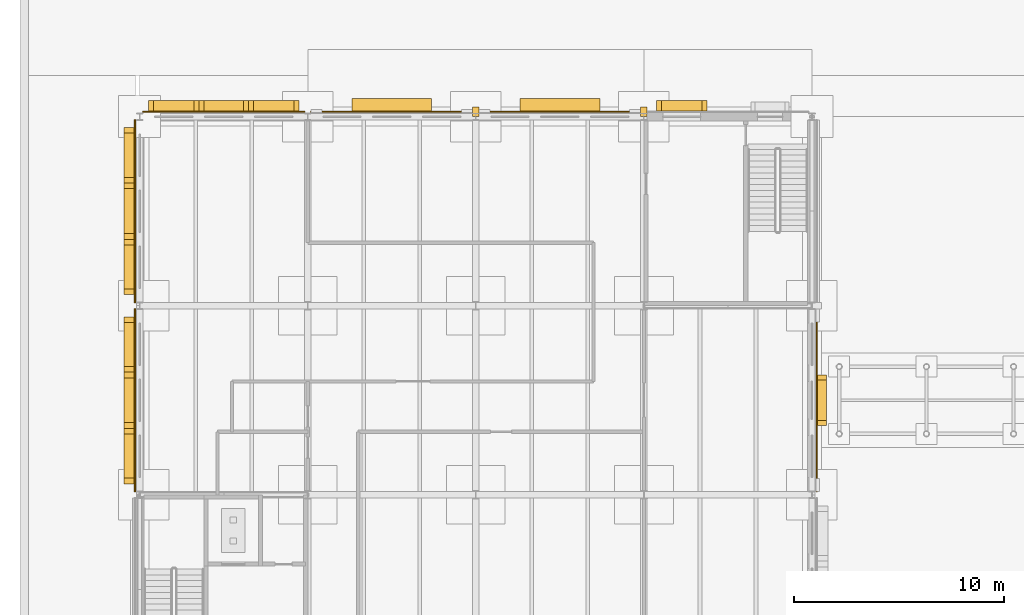
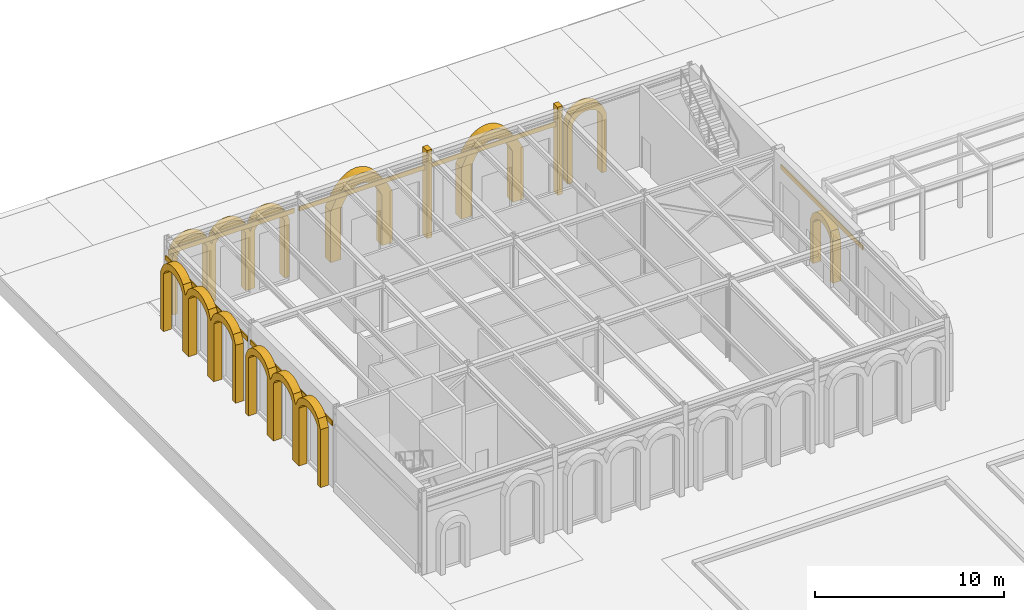
# One storey, part 108 of 126: 15 coverings.
"""IFC4 building model written with IfcOpenShell, lengths in metres."""

from ifc_helpers import new_model, si_unit, direction, frame, origin, origin_2d, place, context, subcontext, project, spatial, polyline, rectangle, outline, extrude, material, layer, layer_set, type_object, element, save


model = new_model("IFC4")

# Units and contexts
model_context = context("Model", 3, precision=1e-05, world=origin(), true_north=direction((0.0, 1.0)))
body_context = subcontext(model_context, "Body", "Model", "MODEL_VIEW")
ifc_project = project(units=[si_unit("LENGTHUNIT", "METRE"), si_unit("AREAUNIT", "SQUARE_METRE"), si_unit("VOLUMEUNIT", "CUBIC_METRE"), si_unit("PLANEANGLEUNIT", "RADIAN"), si_unit("MASSUNIT", "GRAM", prefix="KILO")], contexts=[model_context])

# Site, building, storey
site_placement = place(None, origin())
site = spatial("IfcSite", under=ifc_project, at=site_placement, CompositionType="ELEMENT")
building_placement = place(site_placement, origin())
building = spatial("IfcBuilding", under=site, at=building_placement, Name="Kallimachos Central Library", CompositionType="ELEMENT")
storey_placement = place(building_placement, origin())
storey = spatial("IfcBuildingStorey", under=building, at=storey_placement, Name="L00", CompositionType="ELEMENT", Elevation=0.0)

# Coverings
ifc_material_1 = material(Name="Pentelic marble arcade ring", Category="masonry")
ifc_layer_1 = layer(ifc_material_1, 0.5)
ifc_layer_set_1 = layer_set([ifc_layer_1], Name="Stone arcade ring 500")
covering_type_1 = type_object("IfcCoveringType", Name="Stone arcade ring 500", PredefinedType="MOLDING", material=ifc_layer_set_1)
covering_1_placement = place(storey_placement, frame((6.425048828125, 114.760009765625, 0.0), z_axis=(0.0, 1.0, 0.0), x_axis=(0.0, 0.0, 1.0)))
element("IfcCovering", 1, at=covering_1_placement, inside=storey, type_object=covering_type_1, Name="Arcade ring -L00-009-5", PredefinedType="MOLDING", context=body_context, shape_type="SweptSolid", body=[
    extrude(outline(polyline([(0.0, 0.0), (3.75, 0.0), (4.328857421875, 0.23876953125), (4.563720703125, 0.4775390625), (4.701171875, 0.716064453125), (4.776123046875, 0.954833984375), (4.800048828125, 1.19384765625), (4.776123046875, 1.432373046875), (4.701171875, 1.671142578125), (4.563720703125, 1.909912109375), (4.328857421875, 2.148681640625), (3.75, 2.387451171875), (4.330810546875, 2.625), (4.564697265625, 2.862548828125), (4.70166015625, 3.099853515625), (4.776123046875, 3.33740234375), (4.800048828125, 3.574951171875), (4.776123046875, 3.8125), (4.70166015625, 4.050048828125), (4.564697265625, 4.287353515625), (4.330810546875, 4.52490234375), (3.75, 4.762451171875), (4.328857421875, 5.001220703125), (4.563720703125, 5.239990234375), (4.701171875, 5.478759765625), (4.776123046875, 5.717529296875), (4.800048828125, 5.9560546875), (4.776123046875, 6.195068359375), (4.701171875, 6.433837890625), (4.563720703125, 6.67236328125), (4.328857421875, 6.9111328125), (3.75, 7.14990234375), (0.0, 7.14990234375), (0.0, 6.849853515625), (3.75, 6.849853515625), (4.032470703125, 6.669921875), (4.186767578125, 6.489990234375), (4.281005859375, 6.31005859375), (4.333251953125, 6.1298828125), (4.35009765625, 5.949951171875), (4.333251953125, 5.77001953125), (4.281005859375, 5.58984375), (4.186767578125, 5.409912109375), (4.032470703125, 5.22998046875), (3.75, 5.050048828125), (0.0, 5.050048828125), (0.0, 4.474853515625), (3.75, 4.474853515625), (4.032470703125, 4.294921875), (4.186767578125, 4.114990234375), (4.281005859375, 3.93505859375), (4.333251953125, 3.7548828125), (4.35009765625, 3.574951171875), (4.333251953125, 3.39501953125), (4.281005859375, 3.21484375), (4.186767578125, 3.034912109375), (4.032470703125, 2.85498046875), (3.75, 2.675048828125), (0.0, 2.675048828125), (0.0, 2.099853515625), (3.75, 2.099853515625), (4.032470703125, 1.919921875), (4.186767578125, 1.739990234375), (4.281005859375, 1.56005859375), (4.333251953125, 1.3798828125), (4.35009765625, 1.199951171875), (4.333251953125, 1.02001953125), (4.281005859375, 0.83984375), (4.186767578125, 0.659912109375), (4.032470703125, 0.47998046875), (3.75, 0.300048828125), (0.0, 0.300048828125), (0.0, 0.0)])), origin(), (0.0, 0.0, -1.0), 0.5),
])
covering_2_placement = place(storey_placement, frame((30.60009765625, 114.760009765625, 0.0), z_axis=(0.0, 1.0, 0.0), x_axis=(0.0, 0.0, 1.0)))
element("IfcCovering", 2, at=covering_2_placement, inside=storey, type_object=covering_type_1, Name="Arcade ring -L00-012-6", PredefinedType="MOLDING", context=body_context, shape_type="SweptSolid", body=[
    extrude(outline(polyline([(0.0, 0.0), (3.75, 0.0), (4.326904296875, 0.239990234375), (4.5625, 0.47998046875), (4.70068359375, 0.719970703125), (4.77587890625, 0.9599609375), (4.800048828125, 1.199951171875), (4.77587890625, 1.43994140625), (4.70068359375, 1.679931640625), (4.5625, 1.919921875), (4.326904296875, 2.159912109375), (3.75, 2.39990234375), (0.0, 2.39990234375), (0.0, 2.099853515625), (3.75, 2.099853515625), (4.032470703125, 1.919921875), (4.186767578125, 1.739990234375), (4.281005859375, 1.559814453125), (4.333251953125, 1.3798828125), (4.35009765625, 1.199951171875), (4.333251953125, 1.02001953125), (4.281005859375, 0.83984375), (4.186767578125, 0.659912109375), (4.032470703125, 0.47998046875), (3.75, 0.2998046875), (0.0, 0.2998046875), (0.0, 0.0)])), origin(), (0.0, 0.0, -1.0), 0.5),
])
covering_3_placement = place(storey_placement, frame((5.239990234375, 96.52490234375, 0.0), z_axis=(-1.0, 0.0, 0.0), x_axis=(0.0, 0.0, 1.0)))
element("IfcCovering", 3, at=covering_3_placement, inside=storey, type_object=covering_type_1, Name="Arcade ring -L00-014-7", PredefinedType="MOLDING", context=body_context, shape_type="SweptSolid", body=[
    extrude(outline(polyline([(0.0, 0.0), (3.75, 0.0), (4.294189453125, 0.263916015625), (4.54443359375, 0.527587890625), (4.69287109375, 0.79150390625), (4.77392578125, 1.05517578125), (4.800048828125, 1.31884765625), (4.77392578125, 1.58251953125), (4.69287109375, 1.846435546875), (4.54443359375, 2.110107421875), (4.294189453125, 2.373779296875), (3.75, 2.6376953125), (4.289794921875, 2.905029296875), (4.5419921875, 3.172607421875), (4.69189453125, 3.440185546875), (4.773681640625, 3.70751953125), (4.800048828125, 3.97509765625), (4.773681640625, 4.24267578125), (4.69189453125, 4.510009765625), (4.5419921875, 4.777587890625), (4.289794921875, 5.045166015625), (3.75, 5.3125), (4.294189453125, 5.576416015625), (4.54443359375, 5.840087890625), (4.69287109375, 6.10400390625), (4.77392578125, 6.36767578125), (4.800048828125, 6.63134765625), (4.77392578125, 6.89501953125), (4.69287109375, 7.158935546875), (4.54443359375, 7.422607421875), (4.294189453125, 7.686279296875), (3.75, 7.9501953125), (0.0, 7.9501953125), (0.0, 7.650146484375), (3.75, 7.650146484375), (4.019287109375, 7.4501953125), (4.177978515625, 7.25), (4.277099609375, 7.050048828125), (4.332275390625, 6.85009765625), (4.35009765625, 6.650146484375), (4.332275390625, 6.4501953125), (4.277099609375, 6.25), (4.177978515625, 6.050048828125), (4.019287109375, 5.85009765625), (3.75, 5.650146484375), (0.0, 5.650146484375), (0.0, 4.97509765625), (3.75, 4.97509765625), (4.019287109375, 4.775146484375), (4.177978515625, 4.5751953125), (4.277099609375, 4.375), (4.332275390625, 4.175048828125), (4.35009765625, 3.97509765625), (4.332275390625, 3.775146484375), (4.277099609375, 3.5751953125), (4.177978515625, 3.375), (4.019287109375, 3.175048828125), (3.75, 2.97509765625), (0.0, 2.97509765625), (0.0, 2.300048828125), (3.75, 2.300048828125), (4.019287109375, 2.10009765625), (4.177978515625, 1.900146484375), (4.277099609375, 1.7001953125), (4.332275390625, 1.5), (4.35009765625, 1.300048828125), (4.332275390625, 1.10009765625), (4.277099609375, 0.900146484375), (4.177978515625, 0.7001953125), (4.019287109375, 0.5), (3.75, 0.300048828125), (0.0, 0.300048828125), (0.0, 0.0)])), origin(), (0.0, 0.0, -1.0), 0.5),
])
covering_4_placement = place(storey_placement, frame((5.239990234375, 105.52490234375, 0.0), z_axis=(-1.0, 0.0, 0.0), x_axis=(0.0, 0.0, 1.0)))
element("IfcCovering", 4, at=covering_4_placement, inside=storey, type_object=covering_type_1, Name="Arcade ring -L00-015-8", PredefinedType="MOLDING", context=body_context, shape_type="SweptSolid", body=[
    extrude(outline(polyline([(0.0, 0.0), (3.75, 0.0), (4.294189453125, 0.263916015625), (4.54443359375, 0.527587890625), (4.69287109375, 0.79150390625), (4.77392578125, 1.05517578125), (4.800048828125, 1.31884765625), (4.77392578125, 1.58251953125), (4.69287109375, 1.846435546875), (4.54443359375, 2.110107421875), (4.294189453125, 2.373779296875), (3.75, 2.6376953125), (4.289794921875, 2.905029296875), (4.5419921875, 3.172607421875), (4.69189453125, 3.440185546875), (4.773681640625, 3.70751953125), (4.800048828125, 3.97509765625), (4.773681640625, 4.24267578125), (4.69189453125, 4.510009765625), (4.5419921875, 4.777587890625), (4.289794921875, 5.045166015625), (3.75, 5.3125), (4.294189453125, 5.576416015625), (4.54443359375, 5.840087890625), (4.69287109375, 6.10400390625), (4.77392578125, 6.36767578125), (4.800048828125, 6.63134765625), (4.77392578125, 6.89501953125), (4.69287109375, 7.158935546875), (4.54443359375, 7.422607421875), (4.294189453125, 7.686279296875), (3.75, 7.9501953125), (0.0, 7.9501953125), (0.0, 7.650146484375), (3.75, 7.650146484375), (4.019287109375, 7.4501953125), (4.177978515625, 7.25), (4.277099609375, 7.050048828125), (4.332275390625, 6.85009765625), (4.35009765625, 6.650146484375), (4.332275390625, 6.4501953125), (4.277099609375, 6.25), (4.177978515625, 6.050048828125), (4.019287109375, 5.85009765625), (3.75, 5.650146484375), (0.0, 5.650146484375), (0.0, 4.97509765625), (3.75, 4.97509765625), (4.019287109375, 4.775146484375), (4.177978515625, 4.5751953125), (4.277099609375, 4.375), (4.332275390625, 4.175048828125), (4.35009765625, 3.97509765625), (4.332275390625, 3.775146484375), (4.277099609375, 3.5751953125), (4.177978515625, 3.375), (4.019287109375, 3.175048828125), (3.75, 2.97509765625), (0.0, 2.97509765625), (0.0, 2.300048828125), (3.75, 2.300048828125), (4.019287109375, 2.10009765625), (4.177978515625, 1.900146484375), (4.277099609375, 1.7001953125), (4.332275390625, 1.5), (4.35009765625, 1.300048828125), (4.332275390625, 1.10009765625), (4.277099609375, 0.900146484375), (4.177978515625, 0.7001953125), (4.019287109375, 0.5), (3.75, 0.300048828125), (0.0, 0.300048828125), (0.0, 0.0)])), origin(), (0.0, 0.0, -1.0), 0.5),
])
ifc_material_2 = material(Name="Pentelic marble portal arch", Category="masonry")
ifc_layer_2 = layer(ifc_material_2, 0.5)
ifc_layer_set_2 = layer_set([ifc_layer_2], Name="Stone door portal 500")
covering_type_2 = type_object("IfcCoveringType", Name="Stone door portal 500", PredefinedType="MOLDING", material=ifc_layer_set_2)
covering_5_placement = place(storey_placement, frame((38.699951171875, 99.60009765625, 0.0), z_axis=(1.0, 0.0, 0.0), x_axis=(0.0, 0.0, 1.0)))
element("IfcCovering", 5, at=covering_5_placement, inside=storey, type_object=covering_type_2, Name="Door portal -DOR-L00-006", PredefinedType="MOLDING", context=body_context, shape_type="SweptSolid", body=[
    extrude(outline(polyline([(0.0, 0.0), (2.699951171875, 0.0), (2.9423828125, -0.179931640625), (3.085205078125, -0.35986328125), (3.17431640625, -0.539794921875), (3.22412109375, -0.719970703125), (3.239990234375, -0.89990234375), (3.22412109375, -1.079833984375), (3.17431640625, -1.260009765625), (3.085205078125, -1.43994140625), (2.9423828125, -1.619873046875), (2.699951171875, -1.7998046875), (0.0, -1.7998046875), (0.0, -2.099853515625), (2.699951171875, -2.099853515625), (3.224365234375, -1.85986328125), (3.455322265625, -1.619873046875), (3.591796875, -1.3798828125), (3.666259765625, -1.139892578125), (3.68994140625, -0.89990234375), (3.666259765625, -0.659912109375), (3.591796875, -0.419921875), (3.455322265625, -0.179931640625), (3.224365234375, 0.06005859375), (2.699951171875, 0.300048828125), (0.0, 0.300048828125), (0.0, 0.0)])), origin(), (0.0, 0.0, -1.0), 0.5),
])
ifc_material_3 = material(Name="Pentelic marble pilaster", Category="masonry")
ifc_layer_3 = layer(ifc_material_3, 0.25)
ifc_layer_set_3 = layer_set([ifc_layer_3], Name="Stone pilaster 250")
covering_type_3 = type_object("IfcCoveringType", Name="Stone pilaster 250", PredefinedType="CLADDING", material=ifc_layer_set_3)
for number, where, z_axis, x_axis, name in (
    (6, (22.0, 114.22509765625, -0.2998046875), (0.0, 0.0, 1.0), (1.0, 0.0, 0.0), "Stone pilaster 250 -L00-010"),
    (7, (30.0, 114.22509765625, -0.2998046875), (0.0, 0.0, 1.0), (1.0, 0.0, 0.0), "Stone pilaster 250 -L00-011"),
):
    element("IfcCovering", number, at=place(storey_placement, frame(where, z_axis=z_axis, x_axis=x_axis)), inside=storey, type_object=covering_type_3, Name=name, PredefinedType="CLADDING", context=body_context, shape_type="SweptSolid", body=[
        extrude(rectangle(XDim=0.300048828125, YDim=0.449951171875, at=origin_2d()), origin(), (0.0, 0.0, 1.0), 5.699951171875),
    ])
ifc_material_4 = material(Name="Pentelic marble portal arch", Category="masonry")
ifc_layer_4 = layer(ifc_material_4, 0.60009765625)
ifc_layer_set_4 = layer_set([ifc_layer_4], Name="Stone portal arch 600")
covering_type_4 = type_object("IfcCoveringType", Name="Stone portal arch 600", PredefinedType="MOLDING", material=ifc_layer_set_4)
for number, where, z_axis, x_axis, name in (
    (8, (16.10009765625, 114.860107421875, 3.300048828125), (0.0, 1.0, 0.0), (0.442161003671, 0.0, 0.896935698271), "Entrance portal 1"),
    (9, (24.10009765625, 114.860107421875, 3.300048828125), (0.0, 1.0, 0.0), (0.442161003671, 0.0, 0.896935698271), "Entrance portal 2"),
):
    element("IfcCovering", number, at=place(storey_placement, frame(where, z_axis=z_axis, x_axis=x_axis)), inside=storey, type_object=covering_type_4, Name=name, PredefinedType="MOLDING", context=body_context, shape_type="SweptSolid", body=[
        extrude(outline(polyline([(0.0, 0.0), (0.7161427353300652, -5.551115123125783e-17), (1.280752388823325, 0.07470102894045477), (1.723391050144474, 0.20952990921014858), (2.065737585047622, 0.39379964389418953), (2.321587635376292, 0.6207094167740107), (2.4992623819249924, 0.8861571482257136), (2.601608544439211, 1.1887394952200707), (2.6257794031734596, 1.5298598007863091), (2.5634537773332307, 1.9136201445483283), (2.4008360250750007, 2.3468213427246942), (2.11624728064466, 2.8401503922302993), (1.6801254543775135, 3.408180470676359), (-1.2798061456052896, 4.8673333726823245), (-1.56716761820571, 4.284412760182938), (1.3927639817770932, 2.8252598581769717), (1.673603375826041, 2.454633310355599), (1.8566704352967287, 2.131933244941172), (1.9610132051253508, 1.8483139649319478), (2.0005383561336054, 1.596647726203612), (1.9838970765361335, 1.3723975717627321), (1.916341769425605, 1.1735186208261337), (1.799735291315879, 0.9988203497777753), (1.631998886765523, 0.8490553253497768), (1.4083119505370143, 0.7271443420931559), (1.119807395488138, 0.637186400117423), (0.7523626518696221, 0.5858712866629721), (0.2873614726004203, 0.5829206124993875), (-2.6725701273823828, 2.0420735145053532), (-2.959931599982803, 1.4591529020059657), (0.0, 0.0)])), origin(), (0.0, 0.0, -1.0), 0.60009765625),
    ])
ifc_material_5 = material(Name="Pentelic marble", Category="masonry")
ifc_layer_5 = layer(ifc_material_5, 0.06005859375)
ifc_layer_set_5 = layer_set([ifc_layer_5], Name="Window head band")
covering_type_5 = type_object("IfcCoveringType", Name="Window head band", PredefinedType="MOLDING", material=ifc_layer_set_5)
for number, where, z_axis, x_axis, name in (
    (10, (10.0, 114.22998046875, 4.0498046875), (0.0, 0.0, 1.0), (1.0, 0.0, 0.0), "head band N6"),
    (11, (18.0, 114.22998046875, 4.0498046875), (0.0, 0.0, 1.0), (1.0, 0.0, 0.0), "head band N14"),
    (12, (26.0, 114.22998046875, 4.0498046875), (0.0, 0.0, 1.0), (1.0, 0.0, 0.0), "head band N22"),
):
    element("IfcCovering", number, at=place(storey_placement, frame(where, z_axis=z_axis, x_axis=x_axis)), inside=storey, type_object=covering_type_5, Name=name, PredefinedType="MOLDING", context=body_context, shape_type="SweptSolid", body=[
        extrude(rectangle(XDim=7.699951171875, YDim=0.06005859375, at=origin_2d()), origin(), (0.0, 0.0, 1.0), 0.300048828125),
    ])
for number, where, z_axis, x_axis, name in (
    (13, (5.77001953125, 100.5, 4.0498046875), (0.0, 0.0, 1.0), (1.0, 0.0, 0.0), "head band W96"),
    (14, (5.77001953125, 109.5, 4.0498046875), (0.0, 0.0, 1.0), (1.0, 0.0, 0.0), "head band W105"),
    (15, (38.22998046875, 100.5, 4.0498046875), (0.0, 0.0, 1.0), (1.0, 0.0, 0.0), "head band E96"),
):
    element("IfcCovering", number, at=place(storey_placement, frame(where, z_axis=z_axis, x_axis=x_axis)), inside=storey, type_object=covering_type_5, Name=name, PredefinedType="MOLDING", context=body_context, shape_type="SweptSolid", body=[
        extrude(rectangle(XDim=0.06005859375, YDim=8.699951171875, at=origin_2d()), origin(), (0.0, 0.0, 1.0), 0.300048828125),
    ])

save(model, "model.ifc")
